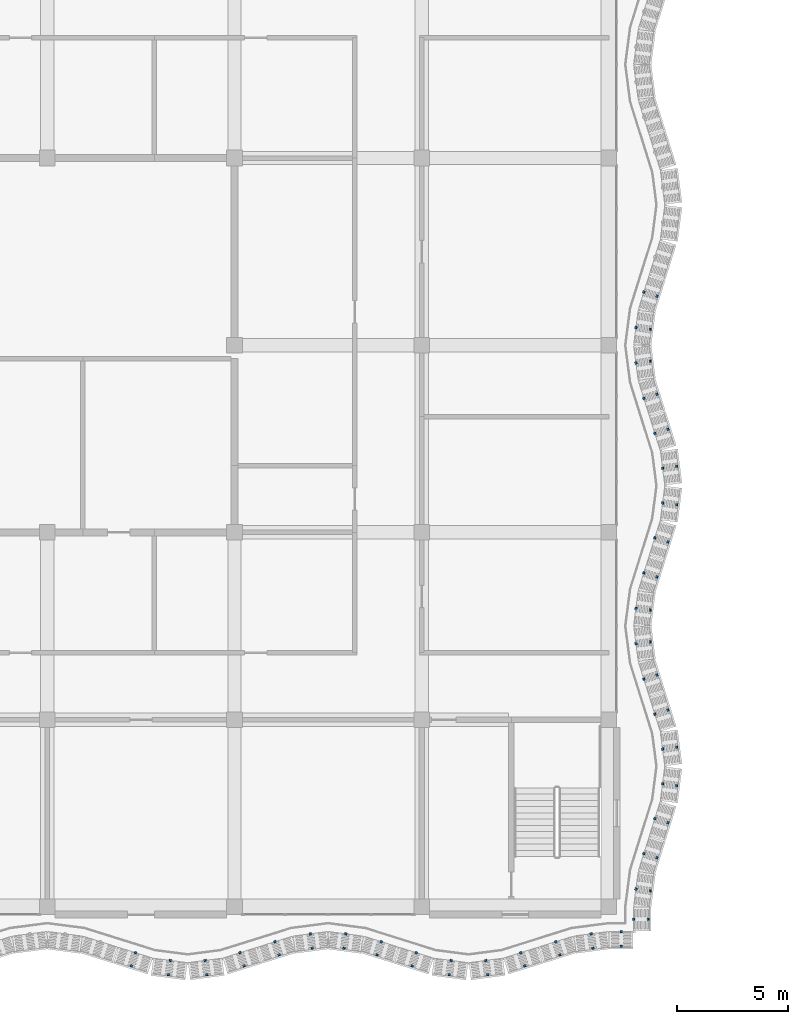
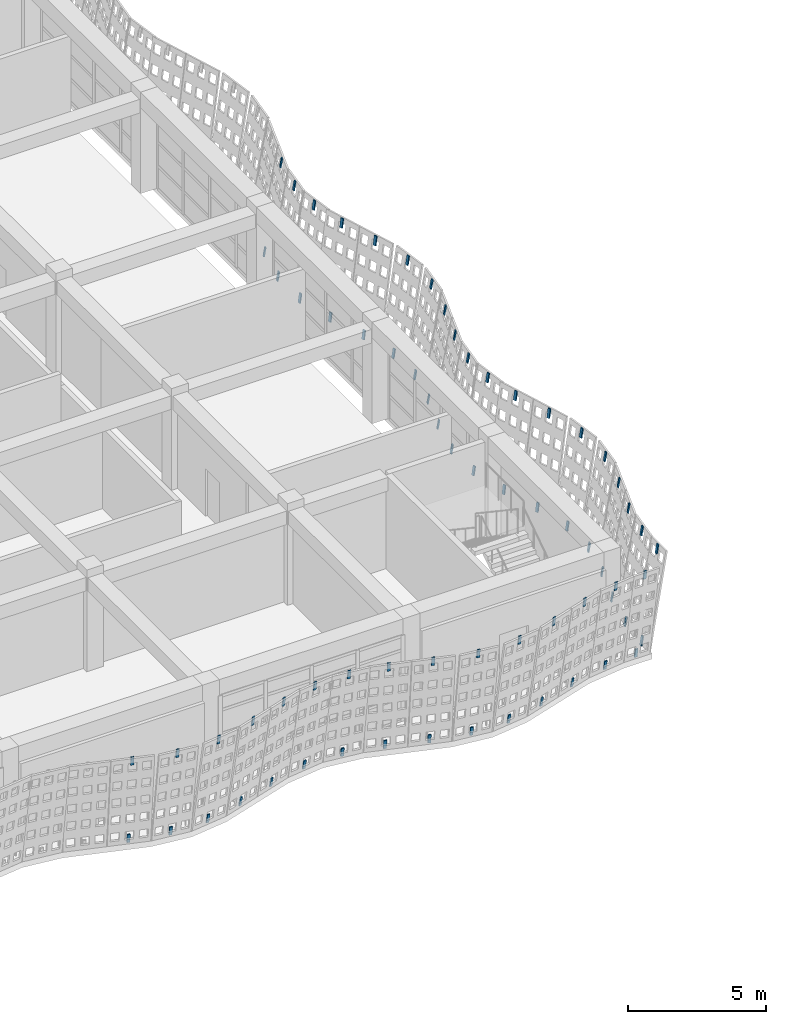
# One storey, part 117 of 163: 68 discrete accessories.
"""IFC4 building model written with IfcOpenShell, lengths in metres."""

from ifc_helpers import new_model, si_unit, direction, frame, origin, origin_2d, place, context, subcontext, project, spatial, rectangle, extrude, material, material_profile, profile_set, type_object, element, save


model = new_model("IFC4")

# Units and contexts
model_context = context("Model", 3, precision=1e-05, world=origin(), true_north=direction((0.0, 1.0)))
body_context = subcontext(model_context, "Body", "Model", "MODEL_VIEW")
ifc_project = project(units=[si_unit("LENGTHUNIT", "METRE"), si_unit("AREAUNIT", "SQUARE_METRE"), si_unit("VOLUMEUNIT", "CUBIC_METRE"), si_unit("PLANEANGLEUNIT", "RADIAN"), si_unit("MASSUNIT", "GRAM", prefix="KILO")], contexts=[model_context])

# Site, building, storey
site_placement = place(None, origin())
site = spatial("IfcSite", under=ifc_project, at=site_placement, CompositionType="ELEMENT")
building_placement = place(site_placement, origin())
building = spatial("IfcBuilding", under=site, at=building_placement, Name="Rain Tree Exposition and Congress Centre", CompositionType="ELEMENT")
storey_placement = place(building_placement, frame((0.0, 0.0, 10.5)))
storey = spatial("IfcBuildingStorey", under=building, at=storey_placement, Name="L02", CompositionType="ELEMENT", Elevation=10.5)

# Discrete accessories
ifc_material = material(Name="Steel S355J2", Category="steel")
ifc_material_profile = material_profile(ifc_material, rectangle(XDim=0.1201171875, YDim=0.050048828125, at=origin_2d()), Name="Flat bar 120x50")
ifc_profile_set = profile_set([ifc_material_profile], Name="Steel S355J2")
discrete_accessory_type = type_object("IfcDiscreteAccessoryType", Name="Screen bracket 120x50", PredefinedType="BRACKET", material=ifc_profile_set)
for number, where, z_axis, x_axis, name in (
    (1, (28.980712890625, -2.622314453125, 3.85107421875), (-0.04699262887, -0.150742588713, 0.987455500152), (0.954686073127, -0.297614686764, 0.0), "wing/bracket/L02/0191t"),
    (2, (29.165283203125, -2.03515625, 0.00390625), (-0.047601548727, -0.150738237635, 0.987426997946), (0.953582665134, -0.301131367937, 0.0), "wing/bracket/L02/0191b"),
):
    element("IfcDiscreteAccessory", number, at=place(storey_placement, frame(where, z_axis=z_axis, x_axis=x_axis)), inside=storey, type_object=discrete_accessory_type, Name=name, PredefinedType="BRACKET", context=body_context, shape_type="SweptSolid", body=[
        extrude(rectangle(XDim=0.1201171875, YDim=0.050048828125, at=origin_2d()), origin(), (0.0, 0.0, 1.0), 0.400146484375),
    ])
for number, where, z_axis, x_axis, name in (
    (3, (30.6416015625, -3.016357421875, 3.851318359375), (-0.020753706516, -0.162977636468, 0.986411462665), (0.991989449114, -0.12632075382, 0.0), "wing/bracket/L02/0201t"),
    (4, (30.72412109375, -2.382080078125, 0.004150390625), (-0.020755767579, -0.162383358115, 0.986509423736), (0.991929834703, -0.126788023985, 0.0), "wing/bracket/L02/0201b"),
    (5, (32.3583984375, -3.016357421875, 3.851318359375), (0.020753706516, -0.162977636468, 0.986411462665), (0.991989449114, 0.12632075382, 0.0), "wing/bracket/L02/0211t"),
    (6, (32.27587890625, -2.382080078125, 0.004150390625), (0.020755767579, -0.162383358115, 0.986509423736), (0.991929834703, 0.126788023985, 0.0), "wing/bracket/L02/0211b"),
):
    element("IfcDiscreteAccessory", number, at=place(storey_placement, frame(where, z_axis=z_axis, x_axis=x_axis)), inside=storey, type_object=discrete_accessory_type, Name=name, PredefinedType="BRACKET", context=body_context, shape_type="SweptSolid", body=[
        extrude(rectangle(XDim=0.1201171875, YDim=0.050048828125, at=origin_2d()), origin(), (0.0, 0.0, 1.0), 0.39990234375),
    ])
for number, where, z_axis, x_axis, name in (
    (7, (34.019287109375, -2.622314453125, 3.85107421875), (0.04699262887, -0.150742588713, 0.987455500152), (0.954686073127, 0.297614686764, 0.0), "wing/bracket/L02/0221t"),
    (8, (33.834716796875, -2.03515625, 0.00390625), (0.047601548727, -0.150738237635, 0.987426997946), (0.953582665134, 0.301131367937, 0.0), "wing/bracket/L02/0221b"),
    (9, (35.5908203125, -2.12841796875, 3.85107421875), (0.047601548727, -0.150738237635, 0.987426997946), (0.953582665134, 0.301131367937, 0.0), "wing/bracket/L02/0231t"),
    (10, (35.406494140625, -1.541259765625, 0.00390625), (0.04699262887, -0.150742588713, 0.987455500152), (0.954686073127, 0.297614686764, 0.0), "wing/bracket/L02/0231b"),
):
    element("IfcDiscreteAccessory", number, at=place(storey_placement, frame(where, z_axis=z_axis, x_axis=x_axis)), inside=storey, type_object=discrete_accessory_type, Name=name, PredefinedType="BRACKET", context=body_context, shape_type="SweptSolid", body=[
        extrude(rectangle(XDim=0.1201171875, YDim=0.050048828125, at=origin_2d()), origin(), (0.0, 0.0, 1.0), 0.400146484375),
    ])
for number, where, z_axis, x_axis, name in (
    (11, (37.081787109375, -1.821533203125, 3.851318359375), (0.020753706516, -0.162977636468, 0.986411462665), (0.991989449114, 0.12632075382, 0.0), "wing/bracket/L02/0241t"),
    (12, (36.9990234375, -1.187255859375, 0.004150390625), (0.021365956631, -0.162381270396, 0.986496740452), (0.991454295543, 0.130454512571, 0.0), "wing/bracket/L02/0241b"),
    (13, (38.518310546875, -1.821533203125, 3.851318359375), (-0.021363835031, -0.162975541524, 0.986398783159), (0.991517377774, -0.129974188098, 0.0), "wing/bracket/L02/0251t"),
    (14, (38.600830078125, -1.187255859375, 0.004150390625), (-0.021365956631, -0.162381270396, 0.986496740452), (0.991454295543, -0.130454512571, 0.0), "wing/bracket/L02/0251b"),
):
    element("IfcDiscreteAccessory", number, at=place(storey_placement, frame(where, z_axis=z_axis, x_axis=x_axis)), inside=storey, type_object=discrete_accessory_type, Name=name, PredefinedType="BRACKET", context=body_context, shape_type="SweptSolid", body=[
        extrude(rectangle(XDim=0.1201171875, YDim=0.050048828125, at=origin_2d()), origin(), (0.0, 0.0, 1.0), 0.39990234375),
    ])
for number, where, z_axis, x_axis, name in (
    (15, (40.009033203125, -2.12841796875, 3.85107421875), (-0.047601548727, -0.150738237635, 0.987426997946), (0.953582665134, -0.301131367937, 0.0), "wing/bracket/L02/0261t"),
    (16, (40.193603515625, -1.541259765625, 0.00390625), (-0.047601548727, -0.150738237635, 0.987426997946), (0.953582665134, -0.301131367937, 0.0), "wing/bracket/L02/0261b"),
    (17, (41.580810546875, -2.622314453125, 3.85107421875), (-0.047601548727, -0.150738237635, 0.987426997946), (0.953582665134, -0.301131367937, 0.0), "wing/bracket/L02/0271t"),
    (18, (41.76513671875, -2.03515625, 0.00390625), (-0.04699262887, -0.150742588713, 0.987455500152), (0.954686073127, -0.297614686764, 0.0), "wing/bracket/L02/0271b"),
):
    element("IfcDiscreteAccessory", number, at=place(storey_placement, frame(where, z_axis=z_axis, x_axis=x_axis)), inside=storey, type_object=discrete_accessory_type, Name=name, PredefinedType="BRACKET", context=body_context, shape_type="SweptSolid", body=[
        extrude(rectangle(XDim=0.1201171875, YDim=0.050048828125, at=origin_2d()), origin(), (0.0, 0.0, 1.0), 0.400146484375),
    ])
for number, where, z_axis, x_axis, name in (
    (19, (43.24169921875, -3.016357421875, 3.851318359375), (-0.021363835031, -0.162975541524, 0.986398783159), (0.991517377774, -0.129974188098, 0.0), "wing/bracket/L02/0281t"),
    (20, (43.32421875, -2.382080078125, 0.004150390625), (-0.021365956631, -0.162381270396, 0.986496740452), (0.991454295543, -0.130454512571, 0.0), "wing/bracket/L02/0281b"),
    (21, (44.95849609375, -3.016357421875, 3.851318359375), (0.020753706516, -0.162977636468, 0.986411462665), (0.991989449114, 0.12632075382, 0.0), "wing/bracket/L02/0291t"),
    (22, (44.875732421875, -2.382080078125, 0.004150390625), (0.021365956631, -0.162381270396, 0.986496740452), (0.991454295543, 0.130454512571, 0.0), "wing/bracket/L02/0291b"),
):
    element("IfcDiscreteAccessory", number, at=place(storey_placement, frame(where, z_axis=z_axis, x_axis=x_axis)), inside=storey, type_object=discrete_accessory_type, Name=name, PredefinedType="BRACKET", context=body_context, shape_type="SweptSolid", body=[
        extrude(rectangle(XDim=0.1201171875, YDim=0.050048828125, at=origin_2d()), origin(), (0.0, 0.0, 1.0), 0.39990234375),
    ])
for number, where, z_axis, x_axis, name in (
    (23, (46.619384765625, -2.622314453125, 3.85107421875), (0.04699262887, -0.150742588713, 0.987455500152), (0.954686073127, 0.297614686764, 0.0), "wing/bracket/L02/0301t"),
    (24, (46.434814453125, -2.03515625, 0.00390625), (0.04699262887, -0.150742588713, 0.987455500152), (0.954686073127, 0.297614686764, 0.0), "wing/bracket/L02/0301b"),
    (25, (48.19091796875, -2.12841796875, 3.85107421875), (0.047601548727, -0.150738237635, 0.987426997946), (0.953582665134, 0.301131367937, 0.0), "wing/bracket/L02/0311t"),
    (26, (48.00634765625, -1.541259765625, 0.00390625), (0.047601548727, -0.150738237635, 0.987426997946), (0.953582665134, 0.301131367937, 0.0), "wing/bracket/L02/0311b"),
):
    element("IfcDiscreteAccessory", number, at=place(storey_placement, frame(where, z_axis=z_axis, x_axis=x_axis)), inside=storey, type_object=discrete_accessory_type, Name=name, PredefinedType="BRACKET", context=body_context, shape_type="SweptSolid", body=[
        extrude(rectangle(XDim=0.1201171875, YDim=0.050048828125, at=origin_2d()), origin(), (0.0, 0.0, 1.0), 0.400146484375),
    ])
for number, where, z_axis, x_axis, name in (
    (27, (49.681640625, -1.821533203125, 3.851318359375), (0.021363835031, -0.162975541524, 0.986398783159), (0.991517377774, 0.129974188098, 0.0), "wing/bracket/L02/0321t"),
    (28, (49.59912109375, -1.187255859375, 0.004150390625), (0.021365956631, -0.162381270396, 0.986496740452), (0.991454295543, 0.130454512571, 0.0), "wing/bracket/L02/0321b"),
):
    element("IfcDiscreteAccessory", number, at=place(storey_placement, frame(where, z_axis=z_axis, x_axis=x_axis)), inside=storey, type_object=discrete_accessory_type, Name=name, PredefinedType="BRACKET", context=body_context, shape_type="SweptSolid", body=[
        extrude(rectangle(XDim=0.1201171875, YDim=0.050048828125, at=origin_2d()), origin(), (0.0, 0.0, 1.0), 0.39990234375),
    ])
discrete_accessory_1_placement = place(storey_placement, frame((50.953857421875, -1.72900390625, 3.851318359375), z_axis=(0.0, -0.165388563864, 0.986228484147), x_axis=(1.0, 0.0, 0.0)))
element("IfcDiscreteAccessory", 29, at=discrete_accessory_1_placement, inside=storey, type_object=discrete_accessory_type, Name="wing/bracket/L02/0331t", PredefinedType="BRACKET", context=body_context, shape_type="SweptSolid", body=[
    extrude(rectangle(XDim=0.1201171875, YDim=0.050048828125, at=origin_2d()), origin(), (0.0, 0.0, 1.0), 0.400146484375),
])
discrete_accessory_2_placement = place(storey_placement, frame((50.953857421875, -1.083984375, 0.004150390625), z_axis=(0.0, -0.164794877674, 0.986327860446), x_axis=(1.0, 0.0, 0.0)))
element("IfcDiscreteAccessory", 30, at=discrete_accessory_2_placement, inside=storey, type_object=discrete_accessory_type, Name="wing/bracket/L02/0331b", PredefinedType="BRACKET", context=body_context, shape_type="SweptSolid", body=[
    extrude(rectangle(XDim=0.1201171875, YDim=0.050048828125, at=origin_2d()), origin(), (0.0, 0.0, 1.0), 0.39990234375),
])
for number, where, z_axis, x_axis, name in (
    (31, (52.12890625, -0.5537109375, 3.851318359375), (0.16598207031, 0.0, 0.986128770666), (0.0, 1.0, 0.0), "wing/bracket/L02/0341t"),
    (32, (51.48388671875, -0.5537109375, 0.004150390625), (0.165388563864, 0.0, 0.986228484147), (0.0, 1.0, 0.0), "wing/bracket/L02/0341b"),
):
    element("IfcDiscreteAccessory", number, at=place(storey_placement, frame(where, z_axis=z_axis, x_axis=x_axis)), inside=storey, type_object=discrete_accessory_type, Name=name, PredefinedType="BRACKET", context=body_context, shape_type="SweptSolid", body=[
        extrude(rectangle(XDim=0.1201171875, YDim=0.050048828125, at=origin_2d()), origin(), (0.0, 0.0, 1.0), 0.400146484375),
    ])
for number, where, z_axis, x_axis, name in (
    (33, (52.2216796875, 0.71826171875, 3.851318359375), (0.162381270396, -0.021365956631, 0.986496740452), (0.130454512571, 0.991454295543, 0.0), "wing/bracket/L02/0351t"),
    (34, (51.587158203125, 0.80078125, 0.004150390625), (0.162977636468, -0.020753706516, 0.986411462665), (0.12632075382, 0.991989449114, 0.0), "wing/bracket/L02/0351b"),
):
    element("IfcDiscreteAccessory", number, at=place(storey_placement, frame(where, z_axis=z_axis, x_axis=x_axis)), inside=storey, type_object=discrete_accessory_type, Name=name, PredefinedType="BRACKET", context=body_context, shape_type="SweptSolid", body=[
        extrude(rectangle(XDim=0.1201171875, YDim=0.050048828125, at=origin_2d()), origin(), (0.0, 0.0, 1.0), 0.39990234375),
    ])
for number, where, z_axis, x_axis, name in (
    (35, (52.5283203125, 2.208984375, 3.85107421875), (0.150742588713, -0.04699262887, 0.987455500152), (0.297614686764, 0.954686073127, 0.0), "wing/bracket/L02/0361t"),
    (36, (51.941162109375, 2.3935546875, 0.00390625), (0.150738237635, -0.047601548727, 0.987426997946), (0.301131367937, 0.953582665134, 0.0), "wing/bracket/L02/0361b"),
    (37, (53.022216796875, 3.78076171875, 3.85107421875), (0.150738237635, -0.047601548727, 0.987426997946), (0.301131367937, 0.953582665134, 0.0), "wing/bracket/L02/0371t"),
    (38, (52.43505859375, 3.965087890625, 0.00390625), (0.150742588713, -0.04699262887, 0.987455500152), (0.297614686764, 0.954686073127, 0.0), "wing/bracket/L02/0371b"),
):
    element("IfcDiscreteAccessory", number, at=place(storey_placement, frame(where, z_axis=z_axis, x_axis=x_axis)), inside=storey, type_object=discrete_accessory_type, Name=name, PredefinedType="BRACKET", context=body_context, shape_type="SweptSolid", body=[
        extrude(rectangle(XDim=0.1201171875, YDim=0.050048828125, at=origin_2d()), origin(), (0.0, 0.0, 1.0), 0.400146484375),
    ])
for number, where, z_axis, x_axis, name in (
    (39, (53.41650390625, 5.441650390625, 3.851318359375), (0.162381270396, -0.021365956631, 0.986496740452), (0.130454512571, 0.991454295543, 0.0), "wing/bracket/L02/0381t"),
    (40, (52.781982421875, 5.524169921875, 0.004150390625), (0.162975541524, -0.021363835031, 0.986398783159), (0.129974188098, 0.991517377774, 0.0), "wing/bracket/L02/0381b"),
    (41, (53.41650390625, 7.158447265625, 3.851318359375), (0.162383358115, 0.020755767579, 0.986509423736), (-0.126788023985, 0.991929834703, 0.0), "wing/bracket/L02/0391t"),
    (42, (52.781982421875, 7.07568359375, 0.004150390625), (0.162975541524, 0.021363835031, 0.986398783159), (-0.129974188098, 0.991517377774, 0.0), "wing/bracket/L02/0391b"),
):
    element("IfcDiscreteAccessory", number, at=place(storey_placement, frame(where, z_axis=z_axis, x_axis=x_axis)), inside=storey, type_object=discrete_accessory_type, Name=name, PredefinedType="BRACKET", context=body_context, shape_type="SweptSolid", body=[
        extrude(rectangle(XDim=0.1201171875, YDim=0.050048828125, at=origin_2d()), origin(), (0.0, 0.0, 1.0), 0.39990234375),
    ])
for number, where, z_axis, x_axis, name in (
    (43, (53.022216796875, 8.8193359375, 3.85107421875), (0.150742588713, 0.04699262887, 0.987455500152), (-0.297614686764, 0.954686073127, 0.0), "wing/bracket/L02/0401t"),
    (44, (52.43505859375, 8.634765625, 0.00390625), (0.150738237635, 0.047601548727, 0.987426997946), (-0.301131367937, 0.953582665134, 0.0), "wing/bracket/L02/0401b"),
    (45, (52.5283203125, 10.390869140625, 3.85107421875), (0.150738237635, 0.047601548727, 0.987426997946), (-0.301131367937, 0.953582665134, 0.0), "wing/bracket/L02/0411t"),
    (46, (51.941162109375, 10.206298828125, 0.00390625), (0.150738237635, 0.047601548727, 0.987426997946), (-0.301131367937, 0.953582665134, 0.0), "wing/bracket/L02/0411b"),
):
    element("IfcDiscreteAccessory", number, at=place(storey_placement, frame(where, z_axis=z_axis, x_axis=x_axis)), inside=storey, type_object=discrete_accessory_type, Name=name, PredefinedType="BRACKET", context=body_context, shape_type="SweptSolid", body=[
        extrude(rectangle(XDim=0.1201171875, YDim=0.050048828125, at=origin_2d()), origin(), (0.0, 0.0, 1.0), 0.400146484375),
    ])
for number, where, z_axis, x_axis, name in (
    (47, (52.2216796875, 11.881591796875, 3.851318359375), (0.162381270396, 0.021365956631, 0.986496740452), (-0.130454512571, 0.991454295543, 0.0), "wing/bracket/L02/0421t"),
    (48, (51.587158203125, 11.799072265625, 0.004150390625), (0.162975541524, 0.021363835031, 0.986398783159), (-0.129974188098, 0.991517377774, 0.0), "wing/bracket/L02/0421b"),
    (49, (52.2216796875, 13.318359375, 3.851318359375), (0.162381270396, -0.021365956631, 0.986496740452), (0.130454512571, 0.991454295543, 0.0), "wing/bracket/L02/0431t"),
    (50, (51.587158203125, 13.40087890625, 0.004150390625), (0.162975541524, -0.021363835031, 0.986398783159), (0.129974188098, 0.991517377774, 0.0), "wing/bracket/L02/0431b"),
):
    element("IfcDiscreteAccessory", number, at=place(storey_placement, frame(where, z_axis=z_axis, x_axis=x_axis)), inside=storey, type_object=discrete_accessory_type, Name=name, PredefinedType="BRACKET", context=body_context, shape_type="SweptSolid", body=[
        extrude(rectangle(XDim=0.1201171875, YDim=0.050048828125, at=origin_2d()), origin(), (0.0, 0.0, 1.0), 0.39990234375),
    ])
for number, where, z_axis, x_axis, name in (
    (51, (52.5283203125, 14.80908203125, 3.85107421875), (0.150738237635, -0.047601548727, 0.987426997946), (0.301131367937, 0.953582665134, 0.0), "wing/bracket/L02/0441t"),
    (52, (51.941162109375, 14.99365234375, 0.00390625), (0.150738237635, -0.047601548727, 0.987426997946), (0.301131367937, 0.953582665134, 0.0), "wing/bracket/L02/0441b"),
    (53, (53.022216796875, 16.380615234375, 3.85107421875), (0.150742588713, -0.04699262887, 0.987455500152), (0.297614686764, 0.954686073127, 0.0), "wing/bracket/L02/0451t"),
    (54, (52.43505859375, 16.565185546875, 0.00390625), (0.150742588713, -0.04699262887, 0.987455500152), (0.297614686764, 0.954686073127, 0.0), "wing/bracket/L02/0451b"),
):
    element("IfcDiscreteAccessory", number, at=place(storey_placement, frame(where, z_axis=z_axis, x_axis=x_axis)), inside=storey, type_object=discrete_accessory_type, Name=name, PredefinedType="BRACKET", context=body_context, shape_type="SweptSolid", body=[
        extrude(rectangle(XDim=0.1201171875, YDim=0.050048828125, at=origin_2d()), origin(), (0.0, 0.0, 1.0), 0.400146484375),
    ])
for number, where, z_axis, x_axis, name in (
    (55, (53.41650390625, 18.04150390625, 3.851318359375), (0.162383358115, -0.020755767579, 0.986509423736), (0.126788023985, 0.991929834703, 0.0), "wing/bracket/L02/0461t"),
    (56, (52.781982421875, 18.124267578125, 0.004150390625), (0.162975541524, -0.021363835031, 0.986398783159), (0.129974188098, 0.991517377774, 0.0), "wing/bracket/L02/0461b"),
    (57, (53.41650390625, 19.75830078125, 3.851318359375), (0.162381270396, 0.021365956631, 0.986496740452), (-0.130454512571, 0.991454295543, 0.0), "wing/bracket/L02/0471t"),
    (58, (52.781982421875, 19.67578125, 0.004150390625), (0.162975541524, 0.021363835031, 0.986398783159), (-0.129974188098, 0.991517377774, 0.0), "wing/bracket/L02/0471b"),
):
    element("IfcDiscreteAccessory", number, at=place(storey_placement, frame(where, z_axis=z_axis, x_axis=x_axis)), inside=storey, type_object=discrete_accessory_type, Name=name, PredefinedType="BRACKET", context=body_context, shape_type="SweptSolid", body=[
        extrude(rectangle(XDim=0.1201171875, YDim=0.050048828125, at=origin_2d()), origin(), (0.0, 0.0, 1.0), 0.39990234375),
    ])
for number, where, z_axis, x_axis, name in (
    (59, (53.022216796875, 21.419189453125, 3.85107421875), (0.150738237635, 0.047601548727, 0.987426997946), (-0.301131367937, 0.953582665134, 0.0), "wing/bracket/L02/0481t"),
    (60, (52.43505859375, 21.23486328125, 0.00390625), (0.150742588713, 0.04699262887, 0.987455500152), (-0.297614686764, 0.954686073127, 0.0), "wing/bracket/L02/0481b"),
    (61, (52.5283203125, 22.990966796875, 3.85107421875), (0.150738237635, 0.047601548727, 0.987426997946), (-0.301131367937, 0.953582665134, 0.0), "wing/bracket/L02/0491t"),
    (62, (51.941162109375, 22.806396484375, 0.00390625), (0.150738237635, 0.047601548727, 0.987426997946), (-0.301131367937, 0.953582665134, 0.0), "wing/bracket/L02/0491b"),
):
    element("IfcDiscreteAccessory", number, at=place(storey_placement, frame(where, z_axis=z_axis, x_axis=x_axis)), inside=storey, type_object=discrete_accessory_type, Name=name, PredefinedType="BRACKET", context=body_context, shape_type="SweptSolid", body=[
        extrude(rectangle(XDim=0.1201171875, YDim=0.050048828125, at=origin_2d()), origin(), (0.0, 0.0, 1.0), 0.400146484375),
    ])
for number, where, z_axis, x_axis, name in (
    (63, (52.2216796875, 24.481689453125, 3.851318359375), (0.162381270396, 0.021365956631, 0.986496740452), (-0.130454512571, 0.991454295543, 0.0), "wing/bracket/L02/0501t"),
    (64, (51.587158203125, 24.399169921875, 0.004150390625), (0.162975541524, 0.021363835031, 0.986398783159), (-0.129974188098, 0.991517377774, 0.0), "wing/bracket/L02/0501b"),
    (65, (52.2216796875, 25.918212890625, 3.851318359375), (0.162383358115, -0.020755767579, 0.986509423736), (0.126788023985, 0.991929834703, 0.0), "wing/bracket/L02/0511t"),
    (66, (51.587158203125, 26.0009765625, 0.004150390625), (0.162975541524, -0.021363835031, 0.986398783159), (0.129974188098, 0.991517377774, 0.0), "wing/bracket/L02/0511b"),
):
    element("IfcDiscreteAccessory", number, at=place(storey_placement, frame(where, z_axis=z_axis, x_axis=x_axis)), inside=storey, type_object=discrete_accessory_type, Name=name, PredefinedType="BRACKET", context=body_context, shape_type="SweptSolid", body=[
        extrude(rectangle(XDim=0.1201171875, YDim=0.050048828125, at=origin_2d()), origin(), (0.0, 0.0, 1.0), 0.39990234375),
    ])
for number, where, z_axis, x_axis, name in (
    (67, (52.5283203125, 27.4091796875, 3.85107421875), (0.150738237635, -0.047601548727, 0.987426997946), (0.301131367937, 0.953582665134, 0.0), "wing/bracket/L02/0521t"),
    (68, (51.941162109375, 27.593505859375, 0.00390625), (0.150742588713, -0.04699262887, 0.987455500152), (0.297614686764, 0.954686073127, 0.0), "wing/bracket/L02/0521b"),
):
    element("IfcDiscreteAccessory", number, at=place(storey_placement, frame(where, z_axis=z_axis, x_axis=x_axis)), inside=storey, type_object=discrete_accessory_type, Name=name, PredefinedType="BRACKET", context=body_context, shape_type="SweptSolid", body=[
        extrude(rectangle(XDim=0.1201171875, YDim=0.050048828125, at=origin_2d()), origin(), (0.0, 0.0, 1.0), 0.400146484375),
    ])

save(model, "model.ifc")
